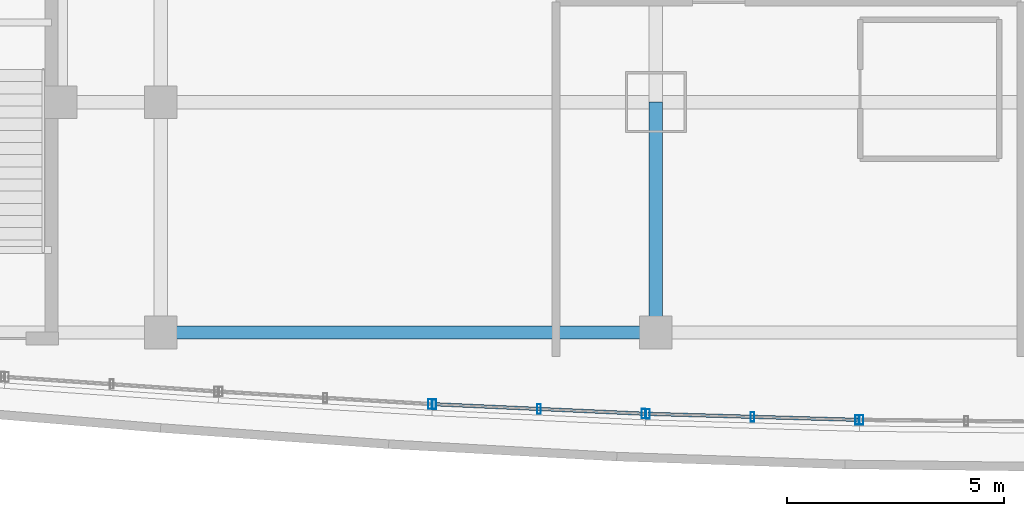
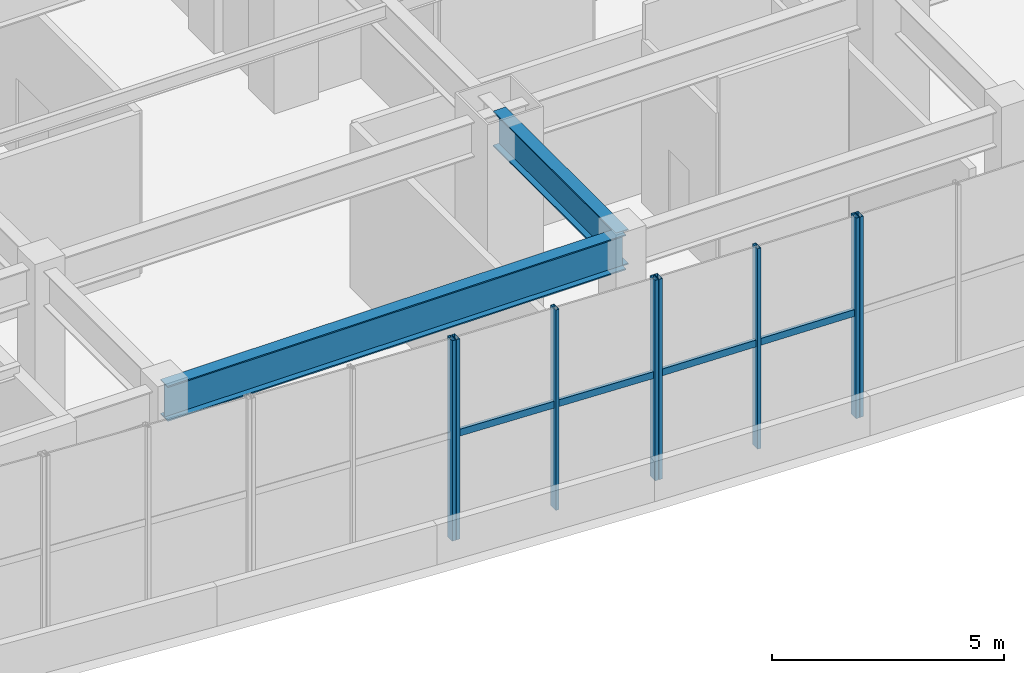
# One storey, part 4 of 24: 10 members, 2 beams, 4 elements without a shape of their own.
"""IFC4 building model written with IfcOpenShell, lengths in metres."""

from ifc_helpers import new_model, si_unit, direction, frame, origin, origin_2d, place, context, subcontext, project, spatial, hollow_rectangle, i_section, extrude, material, layer, layer_set, material_profile, profile_set, type_object, element, aggregate, save


model = new_model("IFC4")

# Units and contexts
model_context = context("Model", 3, precision=1e-05, world=origin(), true_north=direction((0.0, 1.0)))
body_context = subcontext(model_context, "Body", "Model", "MODEL_VIEW")
ifc_project = project(units=[si_unit("LENGTHUNIT", "METRE"), si_unit("AREAUNIT", "SQUARE_METRE"), si_unit("VOLUMEUNIT", "CUBIC_METRE"), si_unit("PLANEANGLEUNIT", "RADIAN"), si_unit("MASSUNIT", "GRAM", prefix="KILO")], contexts=[model_context])

# Site, building, storey
site_placement = place(None, origin())
site = spatial("IfcSite", under=ifc_project, at=site_placement, CompositionType="ELEMENT")
building_placement = place(site_placement, origin())
building = spatial("IfcBuilding", under=site, at=building_placement, Name="Vantalir Tower", CompositionType="ELEMENT")
storey_placement = place(building_placement, frame((0.0, 0.0, 16.0)))
storey = spatial("IfcBuildingStorey", under=building, at=storey_placement, Name="L03", CompositionType="ELEMENT", Elevation=16.0)

# Beams
ifc_material_1 = material(Name="Steel S355", Category="steel")
ifc_material_profile_1 = material_profile(ifc_material_1, i_section(OverallWidth=0.30810546875, OverallDepth=0.927001953125, WebThickness=0.01953125, FlangeThickness=0.031982421875, at=origin_2d()), Name="Steel S355")
ifc_profile_set_1 = profile_set([ifc_material_profile_1], Name="Steel S355")
beam_type = type_object("IfcBeamType", Name="BM-PG-914x305", PredefinedType="USERDEFINED", material=ifc_profile_set_1)
beam_1_placement = place(storey_placement, frame((10.5, 3.199951171875, 4.785888671875), z_axis=(1.0, 0.0, 0.0), x_axis=(0.0, 1.0, 0.0)))
element("IfcBeam", 1, at=beam_1_placement, inside=storey, type_object=beam_type, Name="L03 Podium E-W Girder 02", ObjectType="GIRDER", PredefinedType="USERDEFINED", context=body_context, shape_type="SweptSolid", body=[
    extrude(i_section(OverallWidth=0.30810546875, OverallDepth=0.927001953125, WebThickness=0.01953125, FlangeThickness=0.031982421875, at=origin_2d()), origin(), (0.0, 0.0, 1.0), 11.39990234375),
])
beam_2_placement = place(storey_placement, frame((21.89990234375, 3.199951171875, 4.785888671875), z_axis=(0.0, 1.0, 0.0), x_axis=(-1.0, 0.0, 0.0)))
element("IfcBeam", 2, at=beam_2_placement, inside=storey, type_object=beam_type, Name="L03 Podium N-S Girder 52", ObjectType="GIRDER", PredefinedType="USERDEFINED", context=body_context, shape_type="SweptSolid", body=[
    extrude(i_section(OverallWidth=0.30810546875, OverallDepth=0.927001953125, WebThickness=0.01953125, FlangeThickness=0.031982421875, at=origin_2d()), origin(), (0.0, 0.0, 1.0), 5.300048828125),
])

# Curtain wall, member
ifc_material_2 = material(Name="Champagne-silver PVDF aluminium and double-silver Low-E glass", Category="aluminium")
ifc_layer = layer(ifc_material_2, 0.239990234375)
ifc_layer_set = layer_set([ifc_layer], Name="Champagne-silver PVDF aluminium and double-silver Low-E glass")
curtain_wall_type = type_object("IfcCurtainWallType", Name="CW-PODIUM-WF", PredefinedType="USERDEFINED", material=ifc_layer_set)
curtain_wall_1_placement = place(storey_placement, origin())
curtain_wall_1 = element("IfcCurtainWall", 3, at=curtain_wall_1_placement, inside=storey, type_object=curtain_wall_type, Name="L03 Waterfront Stick Curtain Wall 03", ObjectType="STICK CURTAIN WALL", PredefinedType="USERDEFINED")
ifc_material_3 = material(Name="Champagne-silver PVDF aluminium 6063-T6", Category="aluminium")
ifc_material_profile_2 = material_profile(ifc_material_3, hollow_rectangle(XDim=0.0849609375, YDim=0.219970703125, WallThickness=0.0048828125, at=origin_2d()), Name="Champagne-silver PVDF aluminium 6063-T6")
ifc_profile_set_2 = profile_set([ifc_material_profile_2], Name="Champagne-silver PVDF aluminium 6063-T6")
member_type_1 = type_object("IfcMemberType", Name="CWM-220x85", PredefinedType="MULLION", material=ifc_profile_set_2)
member_1_placement = place(storey_placement, frame((16.699951171875, 1.552978515625, -0.011962890625), z_axis=(0.0, 0.0, 1.0), x_axis=(1.0, 0.0, 0.0)))
member_1 = element("IfcMember", 4, at=member_1_placement, type_object=member_type_1, Name="CW-L03-WF-03 Mullion 3", PredefinedType="MULLION", context=body_context, shape_type="SweptSolid", body=[
    extrude(hollow_rectangle(XDim=0.0849609375, YDim=0.219970703125, WallThickness=0.0048828125, at=origin_2d()), origin(), (0.0, 0.0, 1.0), 5.27392578125),
])
aggregate(curtain_wall_1, [member_1])

# Curtain wall, members
curtain_wall_2_placement = place(storey_placement, origin())
curtain_wall_2 = element("IfcCurtainWall", 5, at=curtain_wall_2_placement, inside=storey, type_object=curtain_wall_type, Name="L03 Waterfront Stick Curtain Wall 04", ObjectType="STICK CURTAIN WALL", PredefinedType="USERDEFINED")
member_2_placement = place(storey_placement, frame((16.800048828125, 1.548095703125, -0.011962890625), z_axis=(0.0, 0.0, 1.0), x_axis=(1.0, 0.0, 0.0)))
member_2 = element("IfcMember", 6, at=member_2_placement, type_object=member_type_1, Name="CW-L03-WF-04 Mullion 1", PredefinedType="MULLION", context=body_context, shape_type="SweptSolid", body=[
    extrude(hollow_rectangle(XDim=0.0849609375, YDim=0.219970703125, WallThickness=0.0048828125, at=origin_2d()), origin(), (0.0, 0.0, 1.0), 5.27392578125),
])
member_3_placement = place(storey_placement, frame((19.2080078125, 1.43896484375, -0.011962890625), z_axis=(0.0, 0.0, 1.0), x_axis=(1.0, 0.0, 0.0)))
member_3 = element("IfcMember", 7, at=member_3_placement, type_object=member_type_1, Name="CW-L03-WF-04 Mullion 2", PredefinedType="MULLION", context=body_context, shape_type="SweptSolid", body=[
    extrude(hollow_rectangle(XDim=0.0849609375, YDim=0.219970703125, WallThickness=0.0048828125, at=origin_2d()), origin(), (0.0, 0.0, 1.0), 5.27392578125),
])
member_4_placement = place(storey_placement, frame((21.616943359375, 1.330078125, -0.011962890625), z_axis=(0.0, 0.0, 1.0), x_axis=(1.0, 0.0, 0.0)))
member_4 = element("IfcMember", 8, at=member_4_placement, type_object=member_type_1, Name="CW-L03-WF-04 Mullion 3", PredefinedType="MULLION", context=body_context, shape_type="SweptSolid", body=[
    extrude(hollow_rectangle(XDim=0.0849609375, YDim=0.219970703125, WallThickness=0.0048828125, at=origin_2d()), origin(), (0.0, 0.0, 1.0), 5.27392578125),
])

curtain_wall_3_placement = place(storey_placement, origin())
curtain_wall_3 = element("IfcCurtainWall", 9, at=curtain_wall_3_placement, inside=storey, type_object=curtain_wall_type, Name="L03 Waterfront Stick Curtain Wall 05", ObjectType="STICK CURTAIN WALL", PredefinedType="USERDEFINED")
member_5_placement = place(storey_placement, frame((21.717041015625, 1.326904296875, -0.011962890625), z_axis=(0.0, 0.0, 1.0), x_axis=(1.0, 0.0, 0.0)))
member_5 = element("IfcMember", 10, at=member_5_placement, type_object=member_type_1, Name="CW-L03-WF-05 Mullion 1", PredefinedType="MULLION", context=body_context, shape_type="SweptSolid", body=[
    extrude(hollow_rectangle(XDim=0.0849609375, YDim=0.219970703125, WallThickness=0.0048828125, at=origin_2d()), origin(), (0.0, 0.0, 1.0), 5.27392578125),
])
member_6_placement = place(storey_placement, frame((24.125, 1.258056640625, -0.011962890625), z_axis=(0.0, 0.0, 1.0), x_axis=(1.0, 0.0, 0.0)))
member_6 = element("IfcMember", 11, at=member_6_placement, type_object=member_type_1, Name="CW-L03-WF-05 Mullion 2", PredefinedType="MULLION", context=body_context, shape_type="SweptSolid", body=[
    extrude(hollow_rectangle(XDim=0.0849609375, YDim=0.219970703125, WallThickness=0.0048828125, at=origin_2d()), origin(), (0.0, 0.0, 1.0), 5.27392578125),
])
member_7_placement = place(storey_placement, frame((26.532958984375, 1.18896484375, -0.011962890625), z_axis=(0.0, 0.0, 1.0), x_axis=(1.0, 0.0, 0.0)))
member_7 = element("IfcMember", 12, at=member_7_placement, type_object=member_type_1, Name="CW-L03-WF-05 Mullion 3", PredefinedType="MULLION", context=body_context, shape_type="SweptSolid", body=[
    extrude(hollow_rectangle(XDim=0.0849609375, YDim=0.219970703125, WallThickness=0.0048828125, at=origin_2d()), origin(), (0.0, 0.0, 1.0), 5.27392578125),
])

# Curtain wall, member
curtain_wall_4_placement = place(storey_placement, origin())
curtain_wall_4 = element("IfcCurtainWall", 13, at=curtain_wall_4_placement, inside=storey, type_object=curtain_wall_type, Name="L03 Waterfront Stick Curtain Wall 06", ObjectType="STICK CURTAIN WALL", PredefinedType="USERDEFINED")
member_8_placement = place(storey_placement, frame((26.633056640625, 1.18798828125, -0.011962890625), z_axis=(0.0, 0.0, 1.0), x_axis=(1.0, 0.0, 0.0)))
member_8 = element("IfcMember", 14, at=member_8_placement, type_object=member_type_1, Name="CW-L03-WF-06 Mullion 1", PredefinedType="MULLION", context=body_context, shape_type="SweptSolid", body=[
    extrude(hollow_rectangle(XDim=0.0849609375, YDim=0.219970703125, WallThickness=0.0048828125, at=origin_2d()), origin(), (0.0, 0.0, 1.0), 5.27392578125),
])
aggregate(curtain_wall_4, [member_8])

# Member
ifc_material_profile_3 = material_profile(ifc_material_3, hollow_rectangle(XDim=0.080078125, YDim=0.179931640625, WallThickness=0.0048828125, at=origin_2d()), Name="Champagne-silver PVDF aluminium 6063-T6")
ifc_profile_set_3 = profile_set([ifc_material_profile_3], Name="Champagne-silver PVDF aluminium 6063-T6")
member_type_2 = type_object("IfcMemberType", Name="CWT-180x80", PredefinedType="USERDEFINED", material=ifc_profile_set_3)
member_9_placement = place(storey_placement, frame((16.800048828125, 1.548095703125, 2.72998046875), z_axis=(0.998977290904, -0.045214734961, 0.0), x_axis=(0.045214734961, 0.998977290904, 0.0)))
member_9 = element("IfcMember", 15, at=member_9_placement, type_object=member_type_2, Name="CW-L03-WF-04 Transom 1", ObjectType="TRANSOM", PredefinedType="USERDEFINED", context=body_context, shape_type="SweptSolid", body=[
    extrude(hollow_rectangle(XDim=0.080078125, YDim=0.179931640625, WallThickness=0.0048828125, at=origin_2d()), origin(), (0.0, 0.0, 1.0), 4.82177734375),
])

aggregate(curtain_wall_2, [member_2, member_3, member_4, member_9])

member_10_placement = place(storey_placement, frame((21.717041015625, 1.326904296875, 2.72998046875), z_axis=(0.999590058651, -0.028630659188, 0.0), x_axis=(0.028630659188, 0.999590058651, 0.0)))
member_10 = element("IfcMember", 16, at=member_10_placement, type_object=member_type_2, Name="CW-L03-WF-05 Transom 1", ObjectType="TRANSOM", PredefinedType="USERDEFINED", context=body_context, shape_type="SweptSolid", body=[
    extrude(hollow_rectangle(XDim=0.080078125, YDim=0.179931640625, WallThickness=0.0048828125, at=origin_2d()), origin(), (0.0, 0.0, 1.0), 4.81787109375),
])

aggregate(curtain_wall_3, [member_5, member_6, member_7, member_10])

save(model, "model.ifc")
